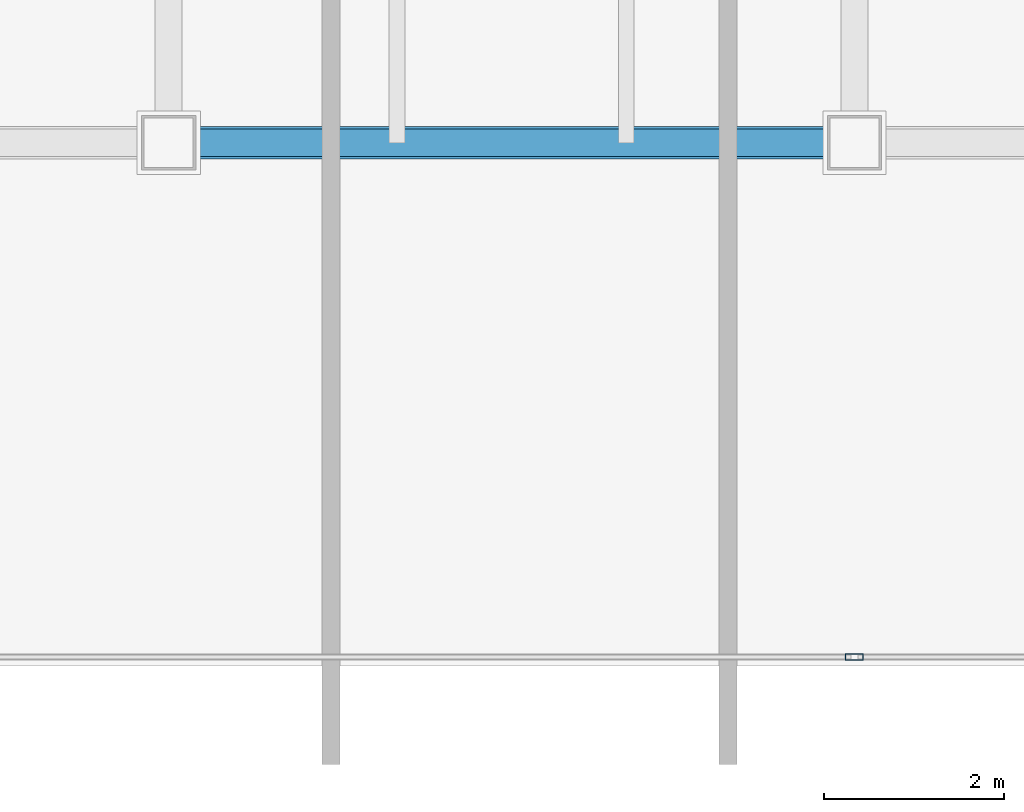
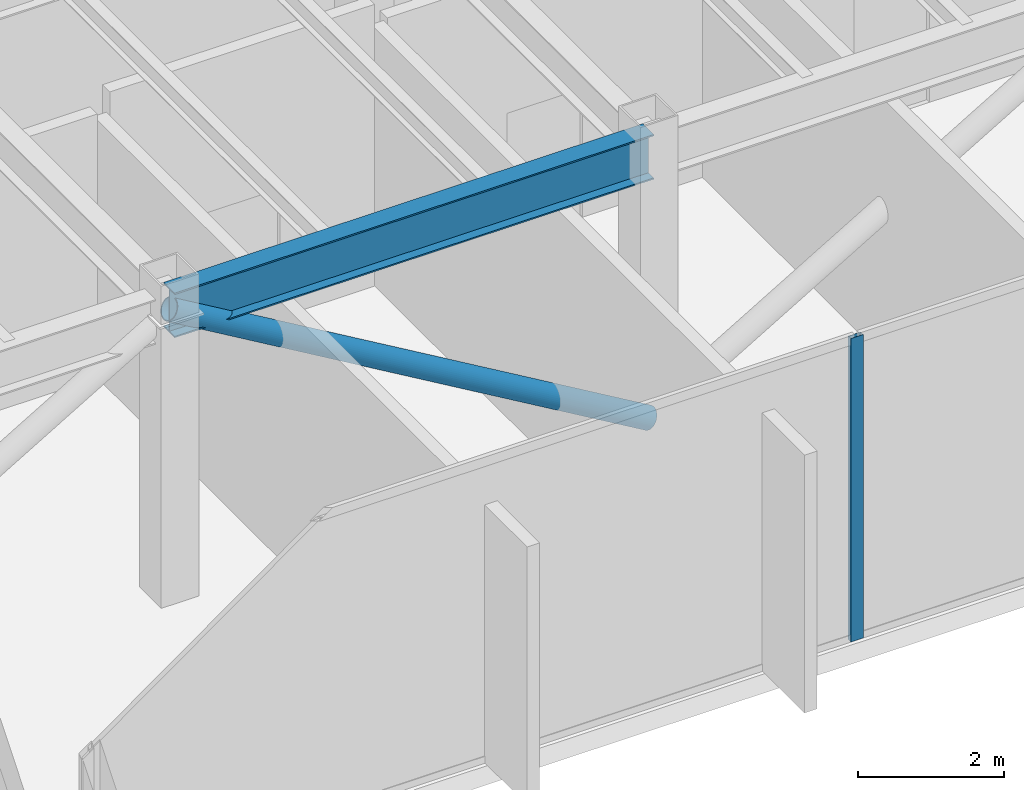
# One storey, part 8 of 38: 2 members, 1 beam, 1 element without a shape of its own.
"""IFC4 building model written with IfcOpenShell, lengths in metres."""

from ifc_helpers import new_model, si_unit, direction, frame, origin, origin_2d, place, context, subcontext, project, spatial, hollow_rectangle, hollow_circle, i_section, extrude, source, transform, mapped, material, layer, layer_set, material_profile, profile_set, type_object, type_shapes, element, aggregate, save


model = new_model("IFC4")

# Units and contexts
model_context = context("Model", 3, precision=1e-05, world=origin(), true_north=direction((0.0, 1.0)))
body_context = subcontext(model_context, "Body", "Model", "MODEL_VIEW")
ifc_project = project(units=[si_unit("LENGTHUNIT", "METRE"), si_unit("AREAUNIT", "SQUARE_METRE"), si_unit("VOLUMEUNIT", "CUBIC_METRE"), si_unit("PLANEANGLEUNIT", "RADIAN"), si_unit("MASSUNIT", "GRAM", prefix="KILO")], contexts=[model_context])

# Site, building, storey
site_placement = place(None, origin())
site = spatial("IfcSite", under=ifc_project, at=site_placement, CompositionType="ELEMENT")
building_placement = place(site_placement, origin())
building = spatial("IfcBuilding", under=site, at=building_placement, Name="Haelvirn Gate Laboratories", CompositionType="ELEMENT")
storey_placement = place(building_placement, frame((0.0, 0.0, 94.89990234375)))
storey = spatial("IfcBuildingStorey", under=building, at=storey_placement, Name="L23", CompositionType="ELEMENT", Elevation=94.89990234375)

# Beam
ifc_material_1 = material(Name="Steel SM355", Category="steel")
ifc_material_profile_1 = material_profile(ifc_material_1, i_section(OverallWidth=0.300048828125, OverallDepth=0.75, WebThickness=0.013916015625, FlangeThickness=0.02392578125, at=origin_2d()), Name="H-750x300x14x24")
ifc_profile_set_1 = profile_set([ifc_material_profile_1], Name="Steel SM355")
beam_type = type_object("IfcBeamType", Name="BM-G-750", PredefinedType="BEAM", material=ifc_profile_set_1)
shared_shape_1 = source(origin(), body_context, "Body", "SweptSolid", [
    extrude(i_section(OverallWidth=0.300048828125, OverallDepth=0.75, WebThickness=0.013916015625, FlangeThickness=0.02392578125, at=origin_2d()), origin(), (0.0, 0.0, 1.0), 7.599853515625),
])
type_shapes(beam_type, [shared_shape_1])
beam_placement = place(storey_placement, frame((29.800048828125, 7.0, 4.715087890625), z_axis=(1.0, 0.0, 0.0), x_axis=(0.0, 1.0, 0.0)))
element("IfcBeam", 1, at=beam_placement, inside=storey, type_object=beam_type, Name="L23 Primary Girder Y7.0 (29.8-37.4)", PredefinedType="BEAM", context=body_context, shape_type="MappedRepresentation", body=[
    mapped(shared_shape_1, transform((0.0, 0.0, 0.0), scale=1.0)),
])

# Member
ifc_material_profile_2 = material_profile(ifc_material_1, hollow_circle(Radius=0.177734375, WallThickness=0.013916015625, at=origin_2d()), Name="CHS-355x14")
ifc_profile_set_2 = profile_set([ifc_material_profile_2], Name="Steel SM355")
member_type_1 = type_object("IfcMemberType", Name="MEM-BELT-1", PredefinedType="STRUT", material=ifc_profile_set_2)
shared_shape_2 = source(origin(), body_context, "Body", "SweptSolid", [
    extrude(hollow_circle(Radius=0.177734375, WallThickness=0.013916015625, at=origin_2d()), origin(), (0.0, 0.0, 1.0), 8.8271484375),
])
type_shapes(member_type_1, [shared_shape_2])
member_1_placement = place(storey_placement, frame((29.800048828125, 7.0, 4.739990234375), z_axis=(0.860967821872, 0.0, -0.508659424076), x_axis=(0.0, 1.0, 0.0)))
element("IfcMember", 2, at=member_1_placement, inside=storey, type_object=member_type_1, Name="L23 Perimeter Belt Truss S4", PredefinedType="STRUT", context=body_context, shape_type="MappedRepresentation", body=[
    mapped(shared_shape_2, transform((0.0, 0.0, 0.0), scale=1.0)),
])

# Curtain wall, member
ifc_material_2 = material(Name="Anodised bronze unitised aluminium & triple low-E glass", Category="aluminium")
ifc_layer = layer(ifc_material_2, 0.18408203125, Name="CW-SYS-2")
ifc_layer_set = layer_set([ifc_layer], Name="Anodised bronze unitised aluminium & triple low-E glass")
curtain_wall_type = type_object("IfcCurtainWallType", Name="CW-SYS-2", PredefinedType="NOTDEFINED", material=ifc_layer_set)
curtain_wall_placement = place(storey_placement, origin())
curtain_wall = element("IfcCurtainWall", 3, at=curtain_wall_placement, inside=storey, type_object=curtain_wall_type, Name="L23 Unitised Curtain Wall CW-L23-P0-E02-1", PredefinedType="NOTDEFINED")
ifc_material_3 = material(Name="Extruded aluminium 6063-T6 (anodised bronze)", Category="aluminium")
ifc_material_profile_3 = material_profile(ifc_material_3, hollow_rectangle(XDim=0.074951171875, YDim=0.199951171875, WallThickness=0.0048828125, at=origin_2d()), Name="CWM-200x75x5")
ifc_profile_set_3 = profile_set([ifc_material_profile_3], Name="Extruded aluminium 6063-T6 (anodised bronze)")
member_type_2 = type_object("IfcMemberType", Name="CWM-T200", PredefinedType="MULLION", material=ifc_profile_set_3)
shared_shape_3 = source(origin(), body_context, "Body", "SweptSolid", [
    extrude(hollow_rectangle(XDim=0.074951171875, YDim=0.199951171875, WallThickness=0.0048828125, at=origin_2d()), origin(), (0.0, 0.0, 1.0), 5.090087890625),
])
type_shapes(member_type_2, [shared_shape_3])
member_2_placement = place(storey_placement, frame((37.39990234375, 1.300048828125, 0.0), z_axis=(0.0, 0.0, 1.0), x_axis=(0.0, 1.0, 0.0)))
member_2 = element("IfcMember", 4, at=member_2_placement, type_object=member_type_2, Name="CW2 mullion 2", PredefinedType="MULLION", context=body_context, shape_type="MappedRepresentation", body=[
    mapped(shared_shape_3, transform((0.0, 0.0, 0.0), scale=1.0)),
])
aggregate(curtain_wall, [member_2])

save(model, "model.ifc")
